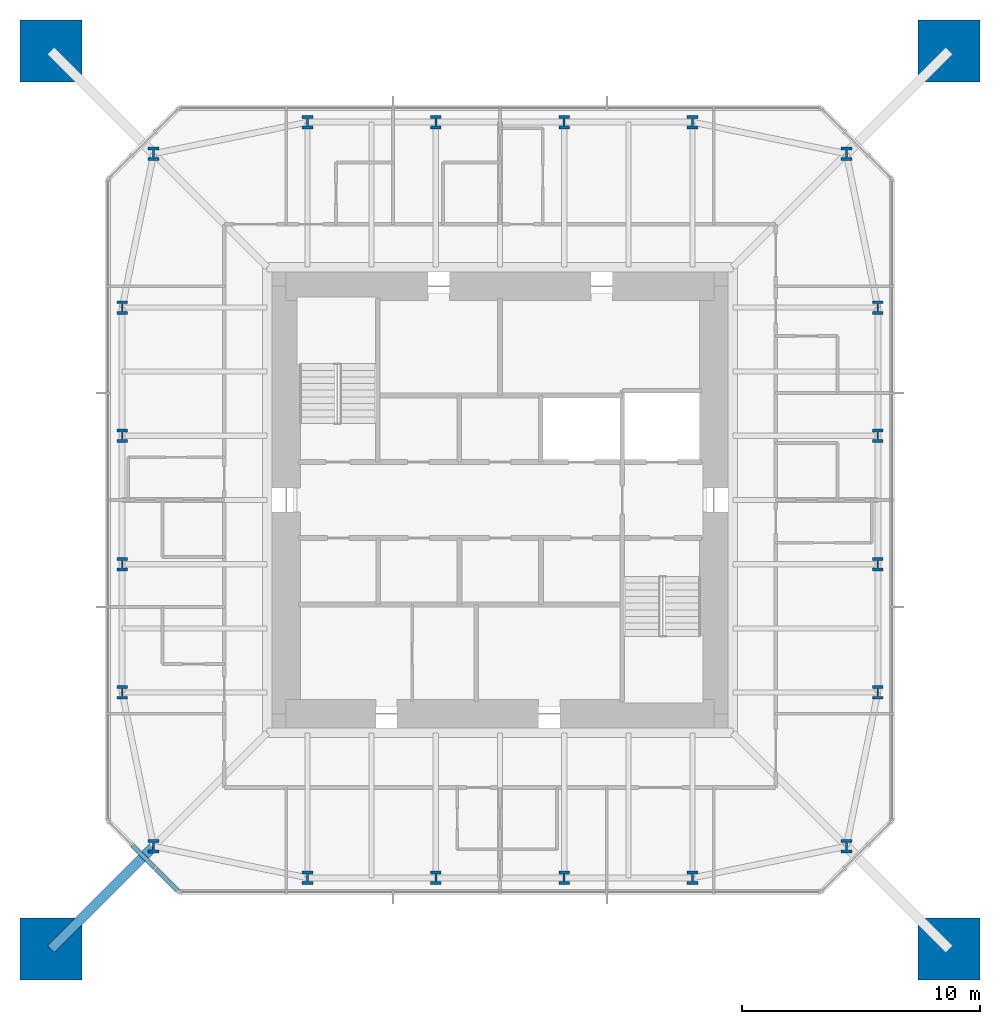
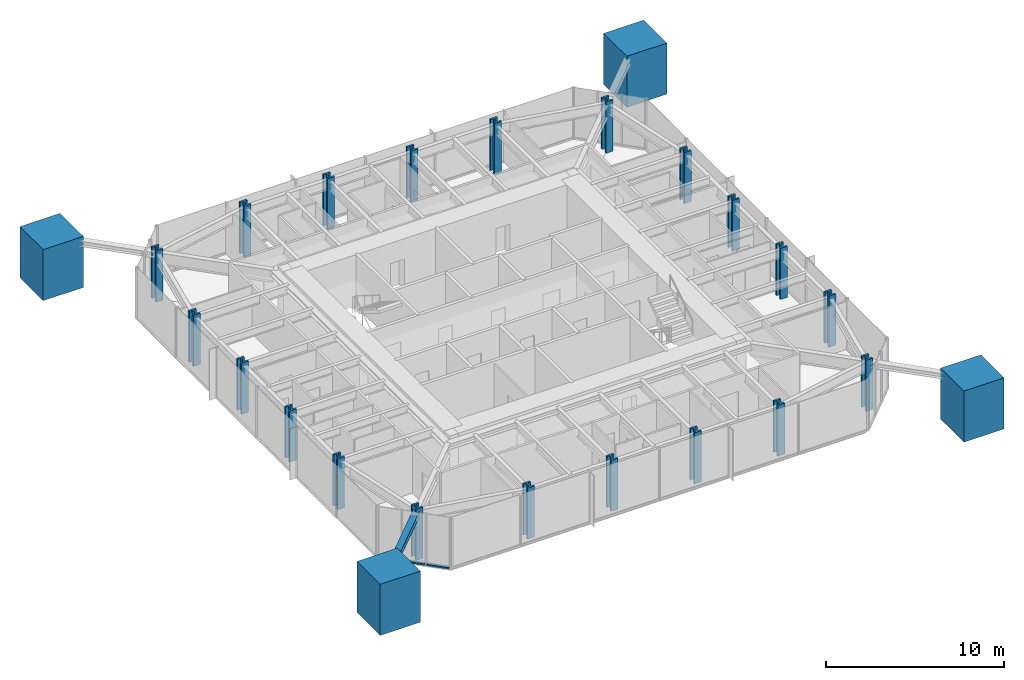
# One storey, part 1 of 9: 24 columns, 3 members, 1 element without a shape of its own.
"""IFC4 building model written with IfcOpenShell, lengths in metres."""

from ifc_helpers import new_model, si_unit, direction, frame, origin, origin_2d, place, context, subcontext, project, spatial, rectangle, i_section, extrude, material, material_profile, profile_set, type_object, element, aggregate, save


model = new_model("IFC4")

# Units and contexts
model_context = context("Model", 3, precision=1e-05, world=origin(), true_north=direction((0.0, 1.0)))
body_context = subcontext(model_context, "Body", "Model", "MODEL_VIEW")
ifc_project = project(units=[si_unit("LENGTHUNIT", "METRE"), si_unit("AREAUNIT", "SQUARE_METRE"), si_unit("VOLUMEUNIT", "CUBIC_METRE"), si_unit("PLANEANGLEUNIT", "RADIAN"), si_unit("MASSUNIT", "GRAM", prefix="KILO")], contexts=[model_context])

# Site, building, storey
site_placement = place(None, origin())
site = spatial("IfcSite", under=ifc_project, at=site_placement, CompositionType="ELEMENT")
building_placement = place(site_placement, origin())
building = spatial("IfcBuilding", under=site, at=building_placement, Name="Iwan Alto Co-Living Towers", CompositionType="ELEMENT")
storey_placement = place(building_placement, frame((0.0, 0.0, 236.0)))
storey = spatial("IfcBuildingStorey", under=building, at=storey_placement, Name="L64", CompositionType="ELEMENT", Elevation=236.0)

# Columns
ifc_material_1 = material(Name="Concrete f'c 70 MPa", Category="concrete")
ifc_material_profile_1 = material_profile(ifc_material_1, rectangle(XDim=2.60009765625, YDim=2.60009765625, at=origin_2d()), Name="RC 2600X2600")
ifc_profile_set_1 = profile_set([ifc_material_profile_1], Name="Concrete f'c 70 MPa")
column_type_1 = type_object("IfcColumnType", Name="T1 MEGA COLUMN RC 2600X2600", PredefinedType="COLUMN", material=ifc_profile_set_1)
for number, where, z_axis, x_axis, name in (
    (1, (-18.89990234375, -18.89990234375, 0.0), (0.0, 0.0, 1.0), (1.0, 0.0, 0.0), "T1 mega column SW L64"),
    (2, (18.89990234375, -18.89990234375, 0.0), (0.0, 0.0, 1.0), (1.0, 0.0, 0.0), "T1 mega column SE L64"),
    (3, (18.89990234375, 18.89990234375, 0.0), (0.0, 0.0, 1.0), (1.0, 0.0, 0.0), "T1 mega column NE L64"),
    (4, (-18.89990234375, 18.89990234375, 0.0), (0.0, 0.0, 1.0), (1.0, 0.0, 0.0), "T1 mega column NW L64"),
):
    element("IfcColumn", number, at=place(storey_placement, frame(where, z_axis=z_axis, x_axis=x_axis)), inside=storey, type_object=column_type_1, Name=name, PredefinedType="COLUMN", context=body_context, shape_type="SweptSolid", body=[
        extrude(rectangle(XDim=2.60009765625, YDim=2.60009765625, at=origin_2d()), origin(), (0.0, 0.0, 1.0), 3.5),
        extrude(i_section(OverallWidth=0.4775390625, OverallDepth=0.599365234375, WebThickness=0.10009765625, FlangeThickness=0.139892578125, at=origin_2d()), origin(), (0.0, 0.0, 1.0), 3.5),
    ])
ifc_material_2 = material(Name="Steel ASTM A992 Gr 50", Category="steel")
ifc_material_profile_2 = material_profile(ifc_material_2, i_section(OverallWidth=0.45458984375, OverallDepth=0.56884765625, WebThickness=0.077880859375, FlangeThickness=0.124755859375, at=origin_2d()), Name="W14X730")
ifc_profile_set_2 = profile_set([ifc_material_profile_2], Name="Steel ASTM A992 Gr 50")
column_type_2 = type_object("IfcColumnType", Name="T1 RING COLUMN W14X730", PredefinedType="COLUMN", material=ifc_profile_set_2)
for number, where, z_axis, x_axis, name in (
    (5, (-14.57568359375, -14.57568359375, 0.0), (0.0, 0.0, 1.0), (1.0, 0.0, 0.0), "T1 ring column CSW L64"),
    (6, (-8.10009765625, -15.89990234375, 0.0), (0.0, 0.0, 1.0), (1.0, 0.0, 0.0), "T1 ring column S1 L64"),
    (7, (-2.699951171875, -15.89990234375, 0.0), (0.0, 0.0, 1.0), (1.0, 0.0, 0.0), "T1 ring column S2 L64"),
    (8, (2.699951171875, -15.89990234375, 0.0), (0.0, 0.0, 1.0), (1.0, 0.0, 0.0), "T1 ring column S3 L64"),
    (9, (8.10009765625, -15.89990234375, 0.0), (0.0, 0.0, 1.0), (1.0, 0.0, 0.0), "T1 ring column S4 L64"),
    (10, (14.57568359375, -14.57568359375, 0.0), (0.0, 0.0, 1.0), (1.0, 0.0, 0.0), "T1 ring column CSE L64"),
    (11, (15.89990234375, -8.10009765625, 0.0), (0.0, 0.0, 1.0), (1.0, 0.0, 0.0), "T1 ring column E1 L64"),
    (12, (15.89990234375, -2.699951171875, 0.0), (0.0, 0.0, 1.0), (1.0, 0.0, 0.0), "T1 ring column E2 L64"),
    (13, (15.89990234375, 2.699951171875, 0.0), (0.0, 0.0, 1.0), (1.0, 0.0, 0.0), "T1 ring column E3 L64"),
    (14, (15.89990234375, 8.10009765625, 0.0), (0.0, 0.0, 1.0), (1.0, 0.0, 0.0), "T1 ring column E4 L64"),
    (15, (14.57568359375, 14.57568359375, 0.0), (0.0, 0.0, 1.0), (1.0, 0.0, 0.0), "T1 ring column CNE L64"),
    (16, (8.10009765625, 15.89990234375, 0.0), (0.0, 0.0, 1.0), (1.0, 0.0, 0.0), "T1 ring column N1 L64"),
    (17, (2.699951171875, 15.89990234375, 0.0), (0.0, 0.0, 1.0), (1.0, 0.0, 0.0), "T1 ring column N2 L64"),
    (18, (-2.699951171875, 15.89990234375, 0.0), (0.0, 0.0, 1.0), (1.0, 0.0, 0.0), "T1 ring column N3 L64"),
    (19, (-8.10009765625, 15.89990234375, 0.0), (0.0, 0.0, 1.0), (1.0, 0.0, 0.0), "T1 ring column N4 L64"),
    (20, (-14.57568359375, 14.57568359375, 0.0), (0.0, 0.0, 1.0), (1.0, 0.0, 0.0), "T1 ring column CNW L64"),
    (21, (-15.89990234375, 8.10009765625, 0.0), (0.0, 0.0, 1.0), (1.0, 0.0, 0.0), "T1 ring column W1 L64"),
    (22, (-15.89990234375, 2.699951171875, 0.0), (0.0, 0.0, 1.0), (1.0, 0.0, 0.0), "T1 ring column W2 L64"),
    (23, (-15.89990234375, -2.699951171875, 0.0), (0.0, 0.0, 1.0), (1.0, 0.0, 0.0), "T1 ring column W3 L64"),
    (24, (-15.89990234375, -8.10009765625, 0.0), (0.0, 0.0, 1.0), (1.0, 0.0, 0.0), "T1 ring column W4 L64"),
):
    element("IfcColumn", number, at=place(storey_placement, frame(where, z_axis=z_axis, x_axis=x_axis)), inside=storey, type_object=column_type_2, Name=name, PredefinedType="COLUMN", context=body_context, shape_type="SweptSolid", body=[
        extrude(i_section(OverallWidth=0.45458984375, OverallDepth=0.56884765625, WebThickness=0.077880859375, FlangeThickness=0.124755859375, at=origin_2d()), origin(), (0.0, 0.0, 1.0), 3.5),
    ])

# Curtain wall, members
ifc_material_3 = material(Name="Bronze aluminium unitised frame", Category="aluminium")
curtain_wall_type = type_object("IfcCurtainWallType", Name="CURTAIN WALL CW-B", PredefinedType="NOTDEFINED", material=ifc_material_3)
curtain_wall_placement = place(storey_placement, origin())
curtain_wall = element("IfcCurtainWall", 25, at=curtain_wall_placement, inside=storey, type_object=curtain_wall_type, Name="T1 chamfer curtain wall SW L64", PredefinedType="NOTDEFINED")
ifc_material_4 = material(Name="Aluminium 6063-T6 bronze anodised", Category="aluminium")
ifc_material_profile_3 = material_profile(ifc_material_4, rectangle(XDim=0.199951171875, YDim=0.10009765625, at=origin_2d()), Name="AL 200X100")
ifc_profile_set_3 = profile_set([ifc_material_profile_3], Name="Aluminium 6063-T6 bronze anodised")
member_type_1 = type_object("IfcMemberType", Name="CW-B TRANSOM 200X100", PredefinedType="USERDEFINED", material=ifc_profile_set_3)
member_1_placement = place(storey_placement, frame((-15.4716796875, -14.5283203125, 0.050048828125), z_axis=(0.707106781187, -0.707106781187, 0.0), x_axis=(0.707106781187, 0.707106781187, 0.0)))
member_1 = element("IfcMember", 26, at=member_1_placement, type_object=member_type_1, Name="CW-B transom 2.1", ObjectType="TRANSOM", PredefinedType="USERDEFINED", context=body_context, shape_type="SweptSolid", body=[
    extrude(rectangle(XDim=0.199951171875, YDim=0.10009765625, at=origin_2d()), origin(), (0.0, 0.0, 1.0), 1.334228515625),
])
member_2_placement = place(storey_placement, frame((-14.4716796875, -15.5283203125, 0.050048828125), z_axis=(0.707106781187, -0.707106781187, 0.0), x_axis=(0.707106781187, 0.707106781187, 0.0)))
member_2 = element("IfcMember", 27, at=member_2_placement, type_object=member_type_1, Name="CW-B transom 3.1", ObjectType="TRANSOM", PredefinedType="USERDEFINED", context=body_context, shape_type="SweptSolid", body=[
    extrude(rectangle(XDim=0.199951171875, YDim=0.10009765625, at=origin_2d()), origin(), (0.0, 0.0, 1.0), 1.2939453125),
])
aggregate(curtain_wall, [member_1, member_2])

# Member
ifc_material_5 = material(Name="Steel ASTM A992 Gr 50", Category="steel")
ifc_material_profile_4 = material_profile(ifc_material_5, i_section(OverallWidth=0.393798828125, OverallDepth=0.3759765625, WebThickness=0.017333984375, FlangeThickness=0.027587890625, at=origin_2d()), Name="W14X145")
ifc_profile_set_4 = profile_set([ifc_material_profile_4], Name="Steel ASTM A992 Gr 50")
member_type_2 = type_object("IfcMemberType", Name="T1 MEGA COLUMN FLOOR TIE W14X145", PredefinedType="STRUT", material=ifc_profile_set_4)
member_3_placement = place(storey_placement, frame((-18.89990234375, -18.89990234375, 3.08203125), z_axis=(0.707106781187, 0.707106781187, 0.0), x_axis=(-0.707106781187, 0.707106781187, 0.0)))
element("IfcMember", 28, at=member_3_placement, inside=storey, type_object=member_type_2, Name="T1 mega column floor tie SW L65", PredefinedType="STRUT", context=body_context, shape_type="SweptSolid", body=[
    extrude(i_section(OverallWidth=0.393798828125, OverallDepth=0.3759765625, WebThickness=0.017333984375, FlangeThickness=0.027587890625, at=origin_2d()), origin(), (0.0, 0.0, 1.0), 6.115478515625),
])

save(model, "model.ifc")
